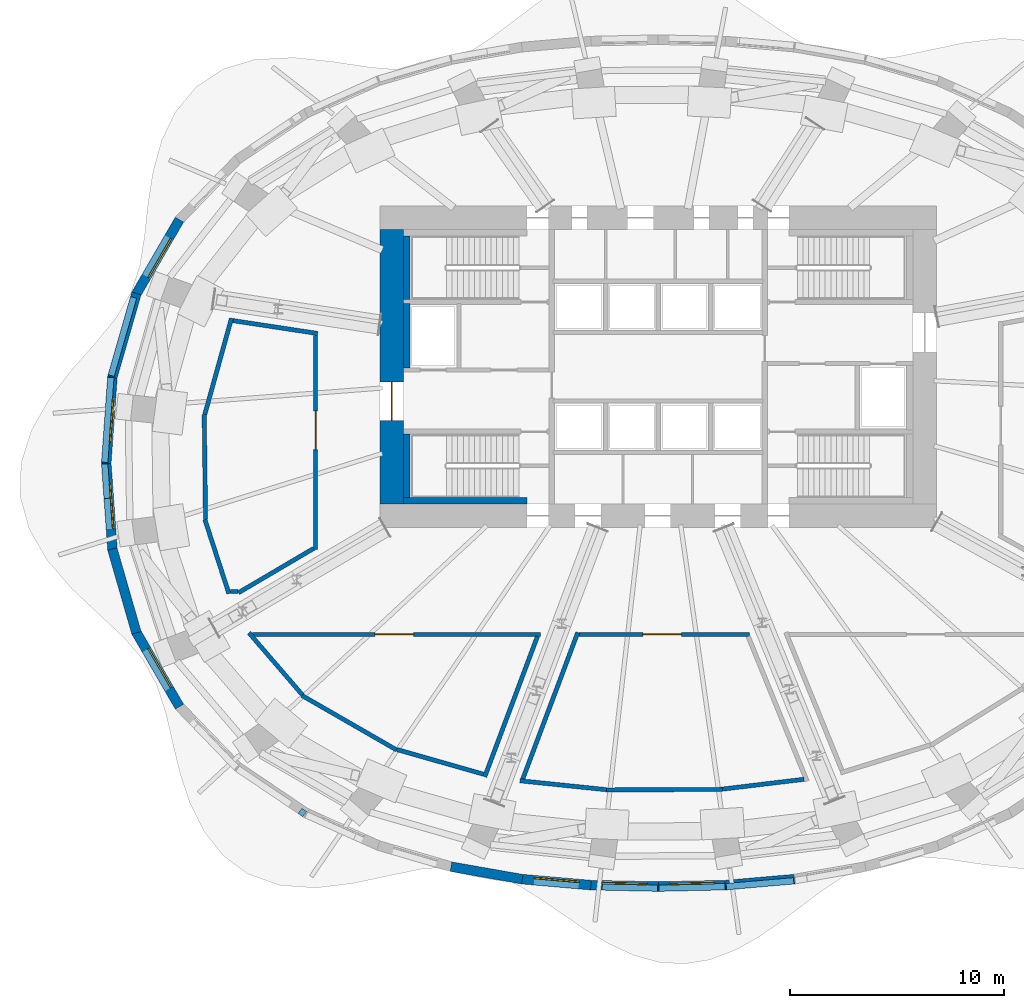
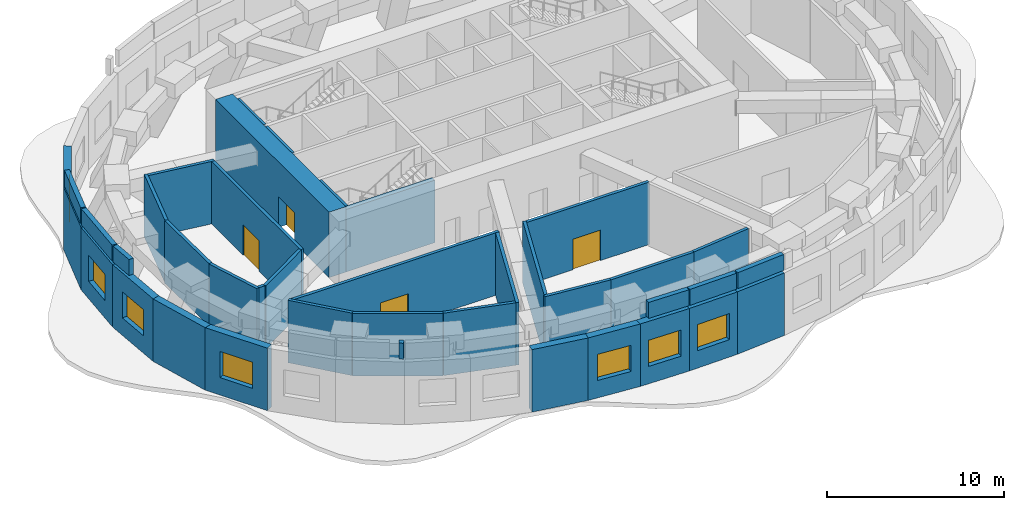
# One storey, part 6 of 11: 40 walls, 7 windows, 4 doors, 11 openings.
"""IFC4 building model written with IfcOpenShell, lengths in metres."""

from ifc_helpers import new_model, si_unit, direction, frame, frame_2d, origin, place, context, subcontext, project, spatial, rectangle, extrude, material, layer, layer_set, type_object, element, fill, save


model = new_model("IFC4")

# Units and contexts
model_context = context("Model", 3, precision=1e-05, world=origin(), true_north=direction((0.0, 1.0)))
body_context = subcontext(model_context, "Body", "Model", "MODEL_VIEW")
ifc_project = project(units=[si_unit("LENGTHUNIT", "METRE"), si_unit("AREAUNIT", "SQUARE_METRE"), si_unit("VOLUMEUNIT", "CUBIC_METRE"), si_unit("PLANEANGLEUNIT", "RADIAN"), si_unit("MASSUNIT", "GRAM", prefix="KILO")], contexts=[model_context])

# Site, building, storey
site_placement = place(None, origin())
site = spatial("IfcSite", under=ifc_project, at=site_placement, CompositionType="ELEMENT")
building_placement = place(site_placement, origin())
building = spatial("IfcBuilding", under=site, at=building_placement, Name="Rubra Terraces Tower", CompositionType="ELEMENT")
storey_placement = place(building_placement, frame((0.0, 0.0, 121.199951171875)))
storey = spatial("IfcBuildingStorey", under=building, at=storey_placement, Name="L29", CompositionType="ELEMENT", Elevation=121.199951171875)

# Wall, opening, window
ifc_material_1 = material(Name="Brick masonry red-brown", Category="masonry")
ifc_layer_1 = layer(ifc_material_1, 0.449951171875)
ifc_layer_set_1 = layer_set([ifc_layer_1], Name="Brick masonry red-brown")
wall_type_1 = type_object("IfcWallType", Name="Brick facade wall 450", PredefinedType="SOLIDWALL", material=ifc_layer_set_1)
wall_1_placement = place(storey_placement, frame((-22.353515625, 11.3759765625, 0.0), z_axis=(0.0, 0.0, 1.0), x_axis=(-0.502055516261, -0.864835393929, 0.0)))
wall_1 = element("IfcWall", 1, at=wall_1_placement, inside=storey, type_object=wall_type_1, Name="Facade wall L29 bay 18", PredefinedType="SOLIDWALL", context=body_context, shape_type="SweptSolid", body=[
    extrude(rectangle(XDim=4.04931640625, YDim=0.449951171875, at=frame_2d((2.024658203125, 0.0))), origin(), (0.0, 0.0, 1.0), 4.300048828125),
])
opening_1_placement = place(wall_1_placement, frame((0.974609375, 0.0, 1.199951171875)))
opening_1 = element("IfcOpeningElement", 2, at=opening_1_placement, cuts=wall_1, Name="Opening W4", PredefinedType="OPENING", context=body_context, shape_type="SweptSolid", body=[
    extrude(rectangle(XDim=2.10009765625, YDim=1.800048828125, at=frame_2d((1.050048828125, 0.89990234375))), frame((0.0, 0.23486328125, 0.0), z_axis=(0.0, -1.0, 0.0), x_axis=(1.0, 0.0, 0.0)), (0.0, 0.0, 1.0), 0.469970703125),
])
ifc_material_2 = material(Name="Clear glass in aluminium frame", Category="aluminium")
window_type = type_object("IfcWindowType", Name="Louvred plant window 2100 x 1800", PartitioningType="SINGLE_PANEL", PredefinedType="WINDOW", material=ifc_material_2)
window_1_placement = place(opening_1_placement, origin())
window_1 = element("IfcWindow", 3, at=window_1_placement, inside=storey, type_object=window_type, Name="Window L29 bay 18", OverallHeight=1.800048828125, OverallWidth=2.10009765625, PartitioningType="SINGLE_PANEL", PredefinedType="WINDOW", context=body_context, shape_type="SweptSolid", body=[
    extrude(rectangle(XDim=2.10009765625, YDim=1.800048828125, at=frame_2d((1.050048828125, 0.89990234375))), frame((0.0, 0.135009765625, 0.0), z_axis=(0.0, -1.0, 0.0), x_axis=(1.0, 0.0, 0.0)), (0.0, 0.0, 1.0), 0.06005859375),
])
fill(opening_1, window_1)

# Wall
wall_2_placement = place(storey_placement, frame((-24.36474609375, 7.9248046875, 0.0), z_axis=(0.0, 0.0, 1.0), x_axis=(-0.276398759245, -0.961043040601, 0.0)))
element("IfcWall", 4, at=wall_2_placement, inside=storey, type_object=wall_type_1, Name="Facade wall L29 bay 19", PredefinedType="SOLIDWALL", context=body_context, shape_type="SweptSolid", body=[
    extrude(rectangle(XDim=4.07373046875, YDim=0.449951171875, at=frame_2d((2.036865234375, 0.0))), origin(), (0.0, 0.0, 1.0), 4.300048828125),
])

# Wall, opening, window
wall_3_placement = place(storey_placement, frame((-25.482666015625, 4.055908203125, 0.0), z_axis=(0.0, 0.0, 1.0), x_axis=(-0.071761268902, -0.99742183668, 0.0)))
wall_3 = element("IfcWall", 5, at=wall_3_placement, inside=storey, type_object=wall_type_1, Name="Facade wall L29 bay 20", PredefinedType="SOLIDWALL", context=body_context, shape_type="SweptSolid", body=[
    extrude(rectangle(XDim=4.08251953125, YDim=0.449951171875, at=frame_2d((2.041259765625, 0.0))), origin(), (0.0, 0.0, 1.0), 4.300048828125),
])
opening_2_placement = place(wall_3_placement, frame((0.9912109375, 0.0, 1.199951171875)))
opening_2 = element("IfcOpeningElement", 6, at=opening_2_placement, cuts=wall_3, Name="Opening W4", PredefinedType="OPENING", context=body_context, shape_type="SweptSolid", body=[
    extrude(rectangle(XDim=2.10009765625, YDim=1.800048828125, at=frame_2d((1.050048828125, 0.89990234375))), frame((0.0, 0.23486328125, 0.0), z_axis=(0.0, -1.0, 0.0), x_axis=(1.0, 0.0, 0.0)), (0.0, 0.0, 1.0), 0.469970703125),
])
window_2_placement = place(opening_2_placement, origin())
window_2 = element("IfcWindow", 7, at=window_2_placement, inside=storey, type_object=window_type, Name="Window L29 bay 20", OverallHeight=1.800048828125, OverallWidth=2.10009765625, PartitioningType="SINGLE_PANEL", PredefinedType="WINDOW", context=body_context, shape_type="SweptSolid", body=[
    extrude(rectangle(XDim=2.10009765625, YDim=1.800048828125, at=frame_2d((1.050048828125, 0.89990234375))), frame((0.0, 0.135009765625, 0.0), z_axis=(0.0, -1.0, 0.0), x_axis=(1.0, 0.0, 0.0)), (0.0, 0.0, 1.0), 0.06005859375),
])
fill(opening_2, window_2)

wall_4_placement = place(storey_placement, frame((-25.775634765625, 0.01611328125, 0.0), z_axis=(0.0, 0.0, 1.0), x_axis=(0.071761268902, -0.99742183668, 0.0)))
wall_4 = element("IfcWall", 8, at=wall_4_placement, inside=storey, type_object=wall_type_1, Name="Facade wall L29 bay 21", PredefinedType="SOLIDWALL", context=body_context, shape_type="SweptSolid", body=[
    extrude(rectangle(XDim=4.08251953125, YDim=0.449951171875, at=frame_2d((2.041259765625, 0.0))), origin(), (0.0, 0.0, 1.0), 4.300048828125),
])
opening_3_placement = place(wall_4_placement, frame((0.9912109375, 0.0, 1.199951171875)))
opening_3 = element("IfcOpeningElement", 9, at=opening_3_placement, cuts=wall_4, Name="Opening W4", PredefinedType="OPENING", context=body_context, shape_type="SweptSolid", body=[
    extrude(rectangle(XDim=2.10009765625, YDim=1.800048828125, at=frame_2d((1.050048828125, 0.89990234375))), frame((0.0, 0.23486328125, 0.0), z_axis=(0.0, -1.0, 0.0), x_axis=(1.0, 0.0, 0.0)), (0.0, 0.0, 1.0), 0.469970703125),
])
window_3_placement = place(opening_3_placement, origin())
window_3 = element("IfcWindow", 10, at=window_3_placement, inside=storey, type_object=window_type, Name="Window L29 bay 21", OverallHeight=1.800048828125, OverallWidth=2.10009765625, PartitioningType="SINGLE_PANEL", PredefinedType="WINDOW", context=body_context, shape_type="SweptSolid", body=[
    extrude(rectangle(XDim=2.10009765625, YDim=1.800048828125, at=frame_2d((1.050048828125, 0.89990234375))), frame((0.0, 0.135009765625, 0.0), z_axis=(0.0, -1.0, 0.0), x_axis=(1.0, 0.0, 0.0)), (0.0, 0.0, 1.0), 0.06005859375),
])
fill(opening_3, window_3)

# Wall
wall_5_placement = place(storey_placement, frame((-25.49072265625, -4.009765625, 0.0), z_axis=(0.0, 0.0, 1.0), x_axis=(0.276398759245, -0.961043040601, 0.0)))
element("IfcWall", 11, at=wall_5_placement, inside=storey, type_object=wall_type_1, Name="Facade wall L29 bay 22", PredefinedType="SOLIDWALL", context=body_context, shape_type="SweptSolid", body=[
    extrude(rectangle(XDim=4.07373046875, YDim=0.449951171875, at=frame_2d((2.036865234375, 0.0))), origin(), (0.0, 0.0, 1.0), 4.300048828125),
])

# Wall, opening, window
wall_6_placement = place(storey_placement, frame((-24.386474609375, -7.8740234375, 0.0), z_axis=(0.0, 0.0, 1.0), x_axis=(0.502055516261, -0.864835393929, 0.0)))
wall_6 = element("IfcWall", 12, at=wall_6_placement, inside=storey, type_object=wall_type_1, Name="Facade wall L29 bay 23", PredefinedType="SOLIDWALL", context=body_context, shape_type="SweptSolid", body=[
    extrude(rectangle(XDim=4.04931640625, YDim=0.449951171875, at=frame_2d((2.024658203125, 0.0))), origin(), (0.0, 0.0, 1.0), 4.300048828125),
])
opening_4_placement = place(wall_6_placement, frame((0.974609375, 0.0, 1.199951171875)))
opening_4 = element("IfcOpeningElement", 13, at=opening_4_placement, cuts=wall_6, Name="Opening W4", PredefinedType="OPENING", context=body_context, shape_type="SweptSolid", body=[
    extrude(rectangle(XDim=2.10009765625, YDim=1.800048828125, at=frame_2d((1.050048828125, 0.89990234375))), frame((0.0, 0.23486328125, 0.0), z_axis=(0.0, -1.0, 0.0), x_axis=(1.0, 0.0, 0.0)), (0.0, 0.0, 1.0), 0.469970703125),
])
window_4_placement = place(opening_4_placement, origin())
window_4 = element("IfcWindow", 14, at=window_4_placement, inside=storey, type_object=window_type, Name="Window L29 bay 23", OverallHeight=1.800048828125, OverallWidth=2.10009765625, PartitioningType="SINGLE_PANEL", PredefinedType="WINDOW", context=body_context, shape_type="SweptSolid", body=[
    extrude(rectangle(XDim=2.10009765625, YDim=1.800048828125, at=frame_2d((1.050048828125, 0.89990234375))), frame((0.0, 0.135009765625, 0.0), z_axis=(0.0, -1.0, 0.0), x_axis=(1.0, 0.0, 0.0)), (0.0, 0.0, 1.0), 0.06005859375),
])
fill(opening_4, window_4)

# Wall
wall_7_placement = place(storey_placement, frame((-9.677001953125, -18.846435546875, 0.0), z_axis=(0.0, 0.0, 1.0), x_axis=(0.984975558514, -0.172693801654, 0.0)))
element("IfcWall", 15, at=wall_7_placement, inside=storey, type_object=wall_type_1, Name="Facade wall L29 bay 28", PredefinedType="SOLIDWALL", context=body_context, shape_type="SweptSolid", body=[
    extrude(rectangle(XDim=3.381591796875, YDim=0.449951171875, at=frame_2d((1.69091796875, 0.0))), origin(), (0.0, 0.0, 1.0), 4.300048828125),
])

# Wall, opening, window
wall_8_placement = place(storey_placement, frame((-6.365478515625, -19.427734375, 0.0), z_axis=(0.0, 0.0, 1.0), x_axis=(0.996257816502, -0.086431262047, 0.0)))
wall_8 = element("IfcWall", 16, at=wall_8_placement, inside=storey, type_object=wall_type_1, Name="Facade wall L29 bay 29", PredefinedType="SOLIDWALL", context=body_context, shape_type="SweptSolid", body=[
    extrude(rectangle(XDim=3.239990234375, YDim=0.449951171875, at=frame_2d((1.6201171875, 0.0))), origin(), (0.0, 0.0, 1.0), 4.300048828125),
])
opening_5_placement = place(wall_8_placement, frame((0.570068359375, 0.0, 1.199951171875)))
opening_5 = element("IfcOpeningElement", 17, at=opening_5_placement, cuts=wall_8, Name="Opening W4", PredefinedType="OPENING", context=body_context, shape_type="SweptSolid", body=[
    extrude(rectangle(XDim=2.10009765625, YDim=1.800048828125, at=frame_2d((1.050048828125, 0.89990234375))), frame((0.0, 0.23486328125, 0.0), z_axis=(0.0, -1.0, 0.0), x_axis=(1.0, 0.0, 0.0)), (0.0, 0.0, 1.0), 0.469970703125),
])
window_5_placement = place(opening_5_placement, origin())
window_5 = element("IfcWindow", 18, at=window_5_placement, inside=storey, type_object=window_type, Name="Window L29 bay 29", OverallHeight=1.800048828125, OverallWidth=2.10009765625, PartitioningType="SINGLE_PANEL", PredefinedType="WINDOW", context=body_context, shape_type="SweptSolid", body=[
    extrude(rectangle(XDim=2.10009765625, YDim=1.800048828125, at=frame_2d((1.050048828125, 0.89990234375))), frame((0.0, 0.135009765625, 0.0), z_axis=(0.0, -1.0, 0.0), x_axis=(1.0, 0.0, 0.0)), (0.0, 0.0, 1.0), 0.06005859375),
])
fill(opening_5, window_5)

wall_9_placement = place(storey_placement, frame((-3.152099609375, -19.70703125, 0.0), z_axis=(0.0, 0.0, 1.0), x_axis=(0.999768982512, -0.021493757415, 0.0)))
wall_9 = element("IfcWall", 19, at=wall_9_placement, inside=storey, type_object=wall_type_1, Name="Facade wall L29 bay 30", PredefinedType="SOLIDWALL", context=body_context, shape_type="SweptSolid", body=[
    extrude(rectangle(XDim=3.15771484375, YDim=0.449951171875, at=frame_2d((1.578857421875, 0.0))), origin(), (0.0, 0.0, 1.0), 4.300048828125),
])
opening_6_placement = place(wall_9_placement, frame((0.52880859375, 0.0, 1.199951171875)))
opening_6 = element("IfcOpeningElement", 20, at=opening_6_placement, cuts=wall_9, Name="Opening W4", PredefinedType="OPENING", context=body_context, shape_type="SweptSolid", body=[
    extrude(rectangle(XDim=2.10009765625, YDim=1.800048828125, at=frame_2d((1.050048828125, 0.89990234375))), frame((0.0, 0.23486328125, 0.0), z_axis=(0.0, -1.0, 0.0), x_axis=(1.0, 0.0, 0.0)), (0.0, 0.0, 1.0), 0.469970703125),
])
window_6_placement = place(opening_6_placement, origin())
window_6 = element("IfcWindow", 21, at=window_6_placement, inside=storey, type_object=window_type, Name="Window L29 bay 30", OverallHeight=1.800048828125, OverallWidth=2.10009765625, PartitioningType="SINGLE_PANEL", PredefinedType="WINDOW", context=body_context, shape_type="SweptSolid", body=[
    extrude(rectangle(XDim=2.10009765625, YDim=1.800048828125, at=frame_2d((1.050048828125, 0.89990234375))), frame((0.0, 0.135009765625, 0.0), z_axis=(0.0, -1.0, 0.0), x_axis=(1.0, 0.0, 0.0)), (0.0, 0.0, 1.0), 0.06005859375),
])
fill(opening_6, window_6)

wall_10_placement = place(storey_placement, frame((-0.0048828125, -19.77490234375, 0.0), z_axis=(0.0, 0.0, 1.0), x_axis=(0.999768982512, 0.021493757415, 0.0)))
wall_10 = element("IfcWall", 22, at=wall_10_placement, inside=storey, type_object=wall_type_1, Name="Facade wall L29 bay 31", PredefinedType="SOLIDWALL", context=body_context, shape_type="SweptSolid", body=[
    extrude(rectangle(XDim=3.15771484375, YDim=0.449951171875, at=frame_2d((1.578857421875, 0.0))), origin(), (0.0, 0.0, 1.0), 4.300048828125),
])
opening_7_placement = place(wall_10_placement, frame((0.52880859375, 0.0, 1.199951171875)))
opening_7 = element("IfcOpeningElement", 23, at=opening_7_placement, cuts=wall_10, Name="Opening W4", PredefinedType="OPENING", context=body_context, shape_type="SweptSolid", body=[
    extrude(rectangle(XDim=2.10009765625, YDim=1.800048828125, at=frame_2d((1.050048828125, 0.89990234375))), frame((0.0, 0.23486328125, 0.0), z_axis=(0.0, -1.0, 0.0), x_axis=(1.0, 0.0, 0.0)), (0.0, 0.0, 1.0), 0.469970703125),
])
window_7_placement = place(opening_7_placement, origin())
window_7 = element("IfcWindow", 24, at=window_7_placement, inside=storey, type_object=window_type, Name="Window L29 bay 31", OverallHeight=1.800048828125, OverallWidth=2.10009765625, PartitioningType="SINGLE_PANEL", PredefinedType="WINDOW", context=body_context, shape_type="SweptSolid", body=[
    extrude(rectangle(XDim=2.10009765625, YDim=1.800048828125, at=frame_2d((1.050048828125, 0.89990234375))), frame((0.0, 0.135009765625, 0.0), z_axis=(0.0, -1.0, 0.0), x_axis=(1.0, 0.0, 0.0)), (0.0, 0.0, 1.0), 0.06005859375),
])
fill(opening_7, window_7)

# Walls
wall_11_placement = place(storey_placement, frame((3.1376953125, -19.707763671875, 0.0), z_axis=(0.0, 0.0, 1.0), x_axis=(0.996257816502, 0.086431262047, 0.0)))
element("IfcWall", 25, at=wall_11_placement, inside=storey, type_object=wall_type_1, Name="Facade wall L29 bay 32", PredefinedType="SOLIDWALL", context=body_context, shape_type="SweptSolid", body=[
    extrude(rectangle(XDim=3.239990234375, YDim=0.449951171875, at=frame_2d((1.6201171875, 0.0))), origin(), (0.0, 0.0, 1.0), 4.300048828125),
])
ifc_layer_2 = layer(ifc_material_1, 0.300048828125)
ifc_layer_set_2 = layer_set([ifc_layer_2], Name="Brick masonry red-brown")
wall_type_2 = type_object("IfcWallType", Name="Brick parapet 300", PredefinedType="PARAPET", material=ifc_layer_set_2)
wall_12_placement = place(storey_placement, frame((-24.49658203125, 7.73779296875, 4.5), z_axis=(0.0, 0.0, 1.0), x_axis=(-0.276419547033, -0.96103706173, 0.0)))
element("IfcWall", 26, at=wall_12_placement, inside=storey, type_object=wall_type_2, Name="Parapet L29 bay 19", PredefinedType="PARAPET", context=body_context, shape_type="SweptSolid", body=[
    extrude(rectangle(XDim=3.796142578125, YDim=0.300048828125, at=frame_2d((1.89794921875, 0.0))), origin(), (0.0, 0.0, 1.0), 1.10009765625),
])
wall_13_placement = place(storey_placement, frame((-25.561767578125, 4.0, 4.5), z_axis=(0.0, 0.0, 1.0), x_axis=(-0.071775917454, -0.997420782656, 0.0)))
element("IfcWall", 27, at=wall_13_placement, inside=storey, type_object=wall_type_2, Name="Parapet L29 bay 20", PredefinedType="PARAPET", context=body_context, shape_type="SweptSolid", body=[
    extrude(rectangle(XDim=3.969482421875, YDim=0.300048828125, at=frame_2d((1.98486328125, 0.0))), origin(), (0.0, 0.0, 1.0), 1.10009765625),
])
wall_14_placement = place(storey_placement, frame((-25.8466796875, -0.040771484375, 4.5), z_axis=(0.0, 0.0, 1.0), x_axis=(0.07182981046, -0.997416902969, 0.0)))
element("IfcWall", 28, at=wall_14_placement, inside=storey, type_object=wall_type_2, Name="Parapet L29 bay 21", PredefinedType="PARAPET", context=body_context, shape_type="SweptSolid", body=[
    extrude(rectangle(XDim=1.607666015625, YDim=0.300048828125, at=frame_2d((0.8037109375, 0.0))), origin(), (0.0, 0.0, 1.0), 1.10009765625),
])
wall_15_placement = place(storey_placement, frame((-16.726806640625, -16.23974609375, 4.5), z_axis=(0.0, 0.0, 1.0), x_axis=(0.828784756912, -0.559567535432, 0.0)))
element("IfcWall", 29, at=wall_15_placement, inside=storey, type_object=wall_type_2, Name="Parapet L29 bay 25.2", PredefinedType="PARAPET", context=body_context, shape_type="SweptSolid", body=[
    extrude(rectangle(XDim=0.265625, YDim=0.300048828125, at=frame_2d((0.1328125, 0.0))), origin(), (0.0, 0.0, 1.0), 1.10009765625),
])
wall_16_placement = place(storey_placement, frame((-2.61181640625, -19.793701171875, 4.5), z_axis=(0.0, 0.0, 1.0), x_axis=(0.999769123904, -0.021487179618, 0.0)))
element("IfcWall", 30, at=wall_16_placement, inside=storey, type_object=wall_type_2, Name="Parapet L29 bay 30", PredefinedType="PARAPET", context=body_context, shape_type="SweptSolid", body=[
    extrude(rectangle(XDim=2.5791015625, YDim=0.300048828125, at=frame_2d((1.28955078125, 0.0))), origin(), (0.0, 0.0, 1.0), 1.10009765625),
])
wall_17_placement = place(storey_placement, frame((0.033203125, -19.84912109375, 4.5), z_axis=(0.0, 0.0, 1.0), x_axis=(0.999769480051, 0.021470602195, 0.0)))
element("IfcWall", 31, at=wall_17_placement, inside=storey, type_object=wall_type_2, Name="Parapet L29 bay 31", PredefinedType="PARAPET", context=body_context, shape_type="SweptSolid", body=[
    extrude(rectangle(XDim=3.08154296875, YDim=0.300048828125, at=frame_2d((1.540771484375, 0.0))), origin(), (0.0, 0.0, 1.0), 1.10009765625),
])
wall_18_placement = place(storey_placement, frame((3.18359375, -19.779052734375, 4.5), z_axis=(0.0, 0.0, 1.0), x_axis=(0.996262896792, 0.086372683617, 0.0)))
element("IfcWall", 32, at=wall_18_placement, inside=storey, type_object=wall_type_2, Name="Parapet L29 bay 32", PredefinedType="PARAPET", context=body_context, shape_type="SweptSolid", body=[
    extrude(rectangle(XDim=3.1572265625, YDim=0.300048828125, at=frame_2d((1.57861328125, 0.0))), origin(), (0.0, 0.0, 1.0), 1.10009765625),
])

# Wall, opening, door
ifc_material_3 = material(Name="Concrete C60", Category="concrete")
ifc_layer_3 = layer(ifc_material_3, 1.10009765625)
ifc_layer_set_3 = layer_set([ifc_layer_3], Name="Concrete C60")
wall_type_3 = type_object("IfcWallType", Name="CORE WALL 1100 C60", PredefinedType="SHEAR", material=ifc_layer_set_3)
wall_19_placement = place(storey_placement, frame((-12.449951171875, -1.89990234375, 0.0), z_axis=(0.0, 0.0, 1.0), x_axis=(0.0, 1.0, 0.0)))
wall_19 = element("IfcWall", 33, at=wall_19_placement, inside=storey, type_object=wall_type_3, Name="CORE WALL W L29", PredefinedType="SHEAR", context=body_context, shape_type="SweptSolid", body=[
    extrude(rectangle(XDim=12.7998046875, YDim=1.10009765625, at=frame_2d((6.39990234375, 0.0))), origin(), (0.0, 0.0, 1.0), 4.5),
])
opening_8_placement = place(wall_19_placement, frame((3.89990234375, 0.0, 0.0)))
opening_8 = element("IfcOpeningElement", 34, at=opening_8_placement, cuts=wall_19, Name="Opening L29.C01", PredefinedType="OPENING", context=body_context, shape_type="SweptSolid", body=[
    extrude(rectangle(XDim=1.800048828125, YDim=2.10009765625, at=frame_2d((0.89990234375, 1.050048828125))), frame((0.0, 0.56005859375, 0.0), z_axis=(0.0, -1.0, 0.0), x_axis=(1.0, 0.0, 0.0)), (0.0, 0.0, 1.0), 1.1201171875),
])
ifc_material_4 = material(Name="Painted steel", Category="steel")
door_type_1 = type_object("IfcDoorType", Name="Fire door 1800x2100 double", OperationType="NOTDEFINED", PredefinedType="DOOR", material=ifc_material_4)
door_1_placement = place(opening_8_placement, origin())
door_1 = element("IfcDoor", 35, at=door_1_placement, inside=storey, type_object=door_type_1, Name="Core entrance door FF1", OperationType="DOUBLE_DOOR_SINGLE_SWING", OverallHeight=2.10009765625, OverallWidth=1.800048828125, PredefinedType="DOOR", context=body_context, shape_type="SweptSolid", body=[
    extrude(rectangle(XDim=1.800048828125, YDim=2.10009765625, at=frame_2d((0.89990234375, 1.050048828125))), frame((0.0, 0.02490234375, 0.0), z_axis=(0.0, -1.0, 0.0), x_axis=(1.0, 0.0, 0.0)), (0.0, 0.0, 1.0), 0.050048828125),
])
fill(opening_8, door_1)

# Walls
ifc_material_5 = material(Name="Concrete C40", Category="concrete")
ifc_layer_4 = layer(ifc_material_5, 0.300048828125)
ifc_layer_set_4 = layer_set([ifc_layer_4], Name="Concrete C40")
wall_type_4 = type_object("IfcWallType", Name="Core lining wall 300 concrete", PredefinedType="SOLIDWALL", material=ifc_layer_set_4)
wall_20_placement = place(storey_placement, frame((-11.89990234375, -1.75, 0.0), z_axis=(0.0, 0.0, 1.0), x_axis=(1.0, 0.0, 0.0)))
element("IfcWall", 36, at=wall_20_placement, inside=storey, type_object=wall_type_4, Name="CORE LINING WALL L29", PredefinedType="SOLIDWALL", context=body_context, shape_type="SweptSolid", body=[
    extrude(rectangle(XDim=5.77978515625, YDim=0.300048828125, at=frame_2d((2.889892578125, 0.0))), origin(), (0.0, 0.0, 1.0), 4.300048828125),
])
wall_21_placement = place(storey_placement, frame((-11.75, -1.60009765625, 0.0), z_axis=(0.0, 0.0, 1.0), x_axis=(0.0, 1.0, 0.0)))
element("IfcWall", 37, at=wall_21_placement, inside=storey, type_object=wall_type_4, Name="CORE LINING WALL L29", PredefinedType="SOLIDWALL", context=body_context, shape_type="SweptSolid", body=[
    extrude(rectangle(XDim=2.9501953125, YDim=0.300048828125, at=frame_2d((1.47509765625, 0.0))), origin(), (0.0, 0.0, 1.0), 4.300048828125),
])
wall_22_placement = place(storey_placement, frame((-11.75, 4.449951171875, 0.0), z_axis=(0.0, 0.0, 1.0), x_axis=(0.0, 1.0, 0.0)))
element("IfcWall", 38, at=wall_22_placement, inside=storey, type_object=wall_type_4, Name="CORE LINING WALL L29", PredefinedType="SOLIDWALL", context=body_context, shape_type="SweptSolid", body=[
    extrude(rectangle(XDim=3.0, YDim=0.300048828125, at=frame_2d((1.5, 0.0))), origin(), (0.0, 0.0, 1.0), 4.300048828125),
])
wall_23_placement = place(storey_placement, frame((-11.75, 7.64990234375, 0.0), z_axis=(0.0, 0.0, 1.0), x_axis=(0.0, 1.0, 0.0)))
element("IfcWall", 39, at=wall_23_placement, inside=storey, type_object=wall_type_4, Name="CORE LINING WALL L29", PredefinedType="SOLIDWALL", context=body_context, shape_type="SweptSolid", body=[
    extrude(rectangle(XDim=2.9501953125, YDim=0.300048828125, at=frame_2d((1.47509765625, 0.0))), origin(), (0.0, 0.0, 1.0), 4.300048828125),
])
ifc_material_6 = material(Name="Blockwork", Category="masonry")
ifc_layer_5 = layer(ifc_material_6, 0.199951171875)
ifc_layer_set_5 = layer_set([ifc_layer_5], Name="Blockwork")
wall_type_5 = type_object("IfcWallType", Name="Corridor partition 200 blockwork", PredefinedType="PARTITIONING", material=ifc_layer_set_5)
wall_24_placement = place(storey_placement, frame((-12.2119140625, -13.39697265625, 0.0), z_axis=(0.0, 0.0, 1.0), x_axis=(-0.866649402915, 0.498917640926, 0.0)))
element("IfcWall", 40, at=wall_24_placement, inside=storey, type_object=wall_type_5, Name="Partition wall", PredefinedType="PARTITIONING", context=body_context, shape_type="SweptSolid", body=[
    extrude(rectangle(XDim=5.104736328125, YDim=0.199951171875, at=frame_2d((2.55224609375, 0.0))), origin(), (0.0, 0.0, 1.0), 4.300048828125),
])
wall_25_placement = place(storey_placement, frame((-16.614013671875, -10.823974609375, 0.0), z_axis=(0.0, 0.0, 1.0), x_axis=(-0.652659458067, 0.757651391998, 0.0)))
element("IfcWall", 41, at=wall_25_placement, inside=storey, type_object=wall_type_5, Name="Partition wall", PredefinedType="PARTITIONING", context=body_context, shape_type="SweptSolid", body=[
    extrude(rectangle(XDim=3.827392578125, YDim=0.199951171875, at=frame_2d((1.91357421875, 0.0))), origin(), (0.0, 0.0, 1.0), 4.300048828125),
])

# Wall, opening, door
wall_26_placement = place(storey_placement, frame((-18.947021484375, -8.0, 0.0), z_axis=(0.0, 0.0, 1.0), x_axis=(1.0, 0.0, 0.0)))
wall_26 = element("IfcWall", 42, at=wall_26_placement, inside=storey, type_object=wall_type_5, Name="Partition wall", PredefinedType="PARTITIONING", context=body_context, shape_type="SweptSolid", body=[
    extrude(rectangle(XDim=13.444091796875, YDim=0.199951171875, at=frame_2d((6.72216796875, 0.0))), origin(), (0.0, 0.0, 1.0), 4.300048828125),
])
opening_9_placement = place(wall_26_placement, frame((5.721923828125, 0.0, 0.0)))
opening_9 = element("IfcOpeningElement", 43, at=opening_9_placement, cuts=wall_26, Name="Opening DB3", PredefinedType="OPENING", context=body_context, shape_type="SweptSolid", body=[
    extrude(rectangle(XDim=1.800048828125, YDim=2.10009765625, at=frame_2d((0.89990234375, 1.050048828125))), frame((0.0, 0.10986328125, 0.0), z_axis=(0.0, -1.0, 0.0), x_axis=(1.0, 0.0, 0.0)), (0.0, 0.0, 1.0), 0.219970703125),
])
door_type_2 = type_object("IfcDoorType", Name="Door 1800x2100 double", OperationType="NOTDEFINED", PredefinedType="DOOR", material=ifc_material_4)
door_2_placement = place(opening_9_placement, origin())
door_2 = element("IfcDoor", 44, at=door_2_placement, inside=storey, type_object=door_type_2, Name="Refuge area door L29-01", OperationType="DOUBLE_DOOR_SINGLE_SWING", OverallHeight=2.10009765625, OverallWidth=1.800048828125, PredefinedType="DOOR", context=body_context, shape_type="SweptSolid", body=[
    extrude(rectangle(XDim=1.800048828125, YDim=2.10009765625, at=frame_2d((0.89990234375, 1.050048828125))), frame((0.0, 0.02490234375, 0.0), z_axis=(0.0, -1.0, 0.0), x_axis=(1.0, 0.0, 0.0)), (0.0, 0.0, 1.0), 0.050048828125),
])
fill(opening_9, door_2)

# Walls
wall_27_placement = place(storey_placement, frame((-5.637939453125, -8.093994140625, 0.0), z_axis=(0.0, 0.0, 1.0), x_axis=(-0.351677500082, -0.936121218612, 0.0)))
element("IfcWall", 45, at=wall_27_placement, inside=storey, type_object=wall_type_5, Name="Partition wall", PredefinedType="PARTITIONING", context=body_context, shape_type="SweptSolid", body=[
    extrude(rectangle(XDim=7.001220703125, YDim=0.199951171875, at=frame_2d((3.50048828125, 0.0))), origin(), (0.0, 0.0, 1.0), 4.300048828125),
])
wall_28_placement = place(storey_placement, frame((-8.160888671875, -14.527099609375, 0.0), z_axis=(0.0, 0.0, 1.0), x_axis=(-0.961635651989, 0.27432986134, 0.0)))
element("IfcWall", 46, at=wall_28_placement, inside=storey, type_object=wall_type_5, Name="Partition wall", PredefinedType="PARTITIONING", context=body_context, shape_type="SweptSolid", body=[
    extrude(rectangle(XDim=4.203125, YDim=0.199951171875, at=frame_2d((2.1015625, 0.0))), origin(), (0.0, 0.0, 1.0), 4.300048828125),
])
wall_29_placement = place(storey_placement, frame((2.9990234375, -15.236083984375, 0.0), z_axis=(0.0, 0.0, 1.0), x_axis=(-0.999988568025, -0.004781612604, 0.0)))
element("IfcWall", 47, at=wall_29_placement, inside=storey, type_object=wall_type_5, Name="Partition wall", PredefinedType="PARTITIONING", context=body_context, shape_type="SweptSolid", body=[
    extrude(rectangle(XDim=5.412109375, YDim=0.199951171875, at=frame_2d((2.7060546875, 0.0))), origin(), (0.0, 0.0, 1.0), 4.300048828125),
])
wall_30_placement = place(storey_placement, frame((-2.412109375, -15.251953125, 0.0), z_axis=(0.0, 0.0, 1.0), x_axis=(-0.994679072695, 0.103022047848, 0.0)))
element("IfcWall", 48, at=wall_30_placement, inside=storey, type_object=wall_type_5, Name="Partition wall", PredefinedType="PARTITIONING", context=body_context, shape_type="SweptSolid", body=[
    extrude(rectangle(XDim=4.066650390625, YDim=0.199951171875, at=frame_2d((2.033203125, 0.0))), origin(), (0.0, 0.0, 1.0), 4.300048828125),
])
wall_31_placement = place(storey_placement, frame((-6.322998046875, -14.7490234375, 0.0), z_axis=(0.0, 0.0, 1.0), x_axis=(0.351712638028, 0.936108017406, 0.0)))
element("IfcWall", 49, at=wall_31_placement, inside=storey, type_object=wall_type_5, Name="Partition wall", PredefinedType="PARTITIONING", context=body_context, shape_type="SweptSolid", body=[
    extrude(rectangle(XDim=7.31005859375, YDim=0.199951171875, at=frame_2d((3.655029296875, 0.0))), origin(), (0.0, 0.0, 1.0), 4.300048828125),
])

# Wall, opening, door
wall_32_placement = place(storey_placement, frame((-3.68701171875, -8.0, 0.0), z_axis=(0.0, 0.0, 1.0), x_axis=(1.0, 0.0, 0.0)))
wall_32 = element("IfcWall", 50, at=wall_32_placement, inside=storey, type_object=wall_type_5, Name="Partition wall", PredefinedType="PARTITIONING", context=body_context, shape_type="SweptSolid", body=[
    extrude(rectangle(XDim=7.951904296875, YDim=0.199951171875, at=frame_2d((3.97607421875, 0.0))), origin(), (0.0, 0.0, 1.0), 4.300048828125),
])
opening_10_placement = place(wall_32_placement, frame((2.97607421875, 0.0, 0.0)))
opening_10 = element("IfcOpeningElement", 51, at=opening_10_placement, cuts=wall_32, Name="Opening DB3", PredefinedType="OPENING", context=body_context, shape_type="SweptSolid", body=[
    extrude(rectangle(XDim=1.800048828125, YDim=2.10009765625, at=frame_2d((0.89990234375, 1.050048828125))), frame((0.0, 0.10986328125, 0.0), z_axis=(0.0, -1.0, 0.0), x_axis=(1.0, 0.0, 0.0)), (0.0, 0.0, 1.0), 0.219970703125),
])
door_3_placement = place(opening_10_placement, origin())
door_3 = element("IfcDoor", 52, at=door_3_placement, inside=storey, type_object=door_type_2, Name="Refuge area door L29-02", OperationType="DOUBLE_DOOR_SINGLE_SWING", OverallHeight=2.10009765625, OverallWidth=1.800048828125, PredefinedType="DOOR", context=body_context, shape_type="SweptSolid", body=[
    extrude(rectangle(XDim=1.800048828125, YDim=2.10009765625, at=frame_2d((0.89990234375, 1.050048828125))), frame((0.0, 0.02490234375, 0.0), z_axis=(0.0, -1.0, 0.0), x_axis=(1.0, 0.0, 0.0)), (0.0, 0.0, 1.0), 0.050048828125),
])
fill(opening_10, door_3)

# Walls
wall_33_placement = place(storey_placement, frame((6.81201171875, -14.764892578125, 0.0), z_axis=(0.0, 0.0, 1.0), x_axis=(-0.992828943228, -0.119543671887, 0.0)))
element("IfcWall", 53, at=wall_33_placement, inside=storey, type_object=wall_type_5, Name="Partition wall", PredefinedType="PARTITIONING", context=body_context, shape_type="SweptSolid", body=[
    extrude(rectangle(XDim=3.841552734375, YDim=0.199951171875, at=frame_2d((1.9208984375, 0.0))), origin(), (0.0, 0.0, 1.0), 4.300048828125),
])
wall_34_placement = place(storey_placement, frame((-20.0458984375, -6.094970703125, 0.0), z_axis=(0.0, 0.0, 1.0), x_axis=(-0.308485001062, 0.951229206931, 0.0)))
element("IfcWall", 54, at=wall_34_placement, inside=storey, type_object=wall_type_5, Name="Partition wall", PredefinedType="PARTITIONING", context=body_context, shape_type="SweptSolid", body=[
    extrude(rectangle(XDim=3.637451171875, YDim=0.199951171875, at=frame_2d((1.81884765625, 0.0))), origin(), (0.0, 0.0, 1.0), 4.300048828125),
])
wall_35_placement = place(storey_placement, frame((-21.137939453125, -2.6298828125, 0.0), z_axis=(0.0, 0.0, 1.0), x_axis=(-0.012626385888, 0.999920284012, 0.0)))
element("IfcWall", 55, at=wall_35_placement, inside=storey, type_object=wall_type_5, Name="Partition wall", PredefinedType="PARTITIONING", context=body_context, shape_type="SweptSolid", body=[
    extrude(rectangle(XDim=4.911376953125, YDim=0.199951171875, at=frame_2d((2.45556640625, 0.0))), origin(), (0.0, 0.0, 1.0), 4.300048828125),
])
wall_36_placement = place(storey_placement, frame((-21.172119140625, 2.277099609375, 0.0), z_axis=(0.0, 0.0, 1.0), x_axis=(0.267735776536, 0.963492373588, 0.0)))
element("IfcWall", 56, at=wall_36_placement, inside=storey, type_object=wall_type_5, Name="Partition wall", PredefinedType="PARTITIONING", context=body_context, shape_type="SweptSolid", body=[
    extrude(rectangle(XDim=4.657958984375, YDim=0.199951171875, at=frame_2d((2.3291015625, 0.0))), origin(), (0.0, 0.0, 1.0), 4.300048828125),
])
wall_37_placement = place(storey_placement, frame((-19.85302734375, 6.654052734375, 0.0), z_axis=(0.0, 0.0, 1.0), x_axis=(0.988667757091, -0.15012017216, 0.0)))
element("IfcWall", 57, at=wall_37_placement, inside=storey, type_object=wall_type_5, Name="Partition wall", PredefinedType="PARTITIONING", context=body_context, shape_type="SweptSolid", body=[
    extrude(rectangle(XDim=3.99755859375, YDim=0.199951171875, at=frame_2d((1.998779296875, 0.0))), origin(), (0.0, 0.0, 1.0), 4.300048828125),
])

# Wall, opening, door
wall_38_placement = place(storey_placement, frame((-16.0, 5.968994140625, 0.0), z_axis=(0.0, 0.0, 1.0), x_axis=(0.0, -1.0, 0.0)))
wall_38 = element("IfcWall", 58, at=wall_38_placement, inside=storey, type_object=wall_type_5, Name="Partition wall", PredefinedType="PARTITIONING", context=body_context, shape_type="SweptSolid", body=[
    extrude(rectangle(XDim=10.0009765625, YDim=0.199951171875, at=frame_2d((5.00048828125, 0.0))), origin(), (0.0, 0.0, 1.0), 4.300048828125),
])
opening_11_placement = place(wall_38_placement, frame((3.533935546875, 0.0, 0.0)))
opening_11 = element("IfcOpeningElement", 59, at=opening_11_placement, cuts=wall_38, Name="Opening DB3", PredefinedType="OPENING", context=body_context, shape_type="SweptSolid", body=[
    extrude(rectangle(XDim=1.800048828125, YDim=2.10009765625, at=frame_2d((0.89990234375, 1.050048828125))), frame((0.0, 0.10986328125, 0.0), z_axis=(0.0, -1.0, 0.0), x_axis=(1.0, 0.0, 0.0)), (0.0, 0.0, 1.0), 0.219970703125),
])
door_4_placement = place(opening_11_placement, origin())
door_4 = element("IfcDoor", 60, at=door_4_placement, inside=storey, type_object=door_type_2, Name="Refuge area door L29-04", OperationType="DOUBLE_DOOR_SINGLE_SWING", OverallHeight=2.10009765625, OverallWidth=1.800048828125, PredefinedType="DOOR", context=body_context, shape_type="SweptSolid", body=[
    extrude(rectangle(XDim=1.800048828125, YDim=2.10009765625, at=frame_2d((0.89990234375, 1.050048828125))), frame((0.0, 0.02490234375, 0.0), z_axis=(0.0, -1.0, 0.0), x_axis=(1.0, 0.0, 0.0)), (0.0, 0.0, 1.0), 0.050048828125),
])
fill(opening_11, door_4)

# Walls
wall_39_placement = place(storey_placement, frame((-16.0859375, -3.98291015625, 0.0), z_axis=(0.0, 0.0, 1.0), x_axis=(-0.861769442787, -0.5073001355, 0.0)))
element("IfcWall", 61, at=wall_39_placement, inside=storey, type_object=wall_type_5, Name="Partition wall", PredefinedType="PARTITIONING", context=body_context, shape_type="SweptSolid", body=[
    extrude(rectangle(XDim=4.07666015625, YDim=0.199951171875, at=frame_2d((2.038330078125, 0.0))), origin(), (0.0, 0.0, 1.0), 4.300048828125),
])
wall_40_placement = place(storey_placement, frame((-19.613037109375, -6.0, 0.0), z_axis=(0.0, 0.0, 1.0), x_axis=(-1.0, 0.0, 0.0)))
element("IfcWall", 62, at=wall_40_placement, inside=storey, type_object=wall_type_5, Name="Partition wall", PredefinedType="PARTITIONING", context=body_context, shape_type="SweptSolid", body=[
    extrude(rectangle(XDim=0.364013671875, YDim=0.199951171875, at=frame_2d((0.18212890625, 0.0))), origin(), (0.0, 0.0, 1.0), 4.300048828125),
])

save(model, "model.ifc")
